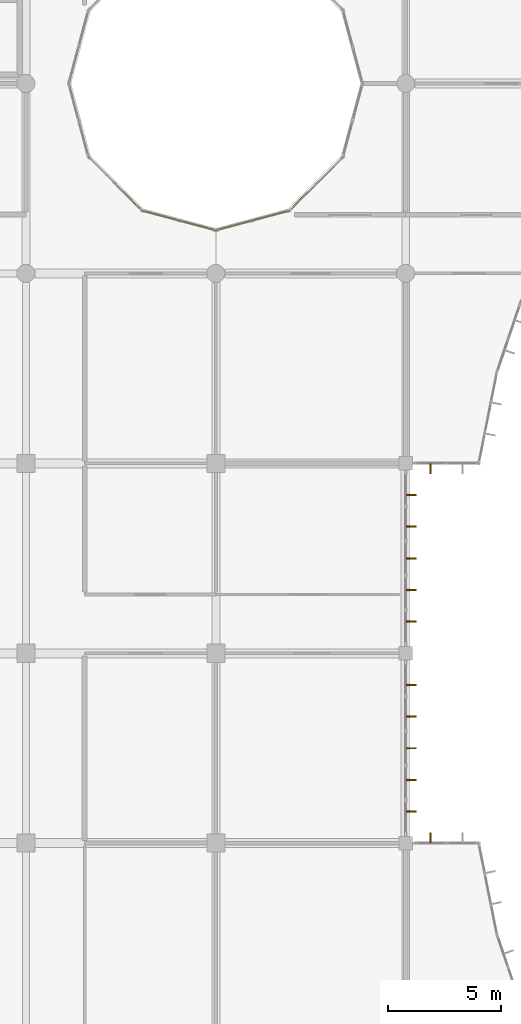
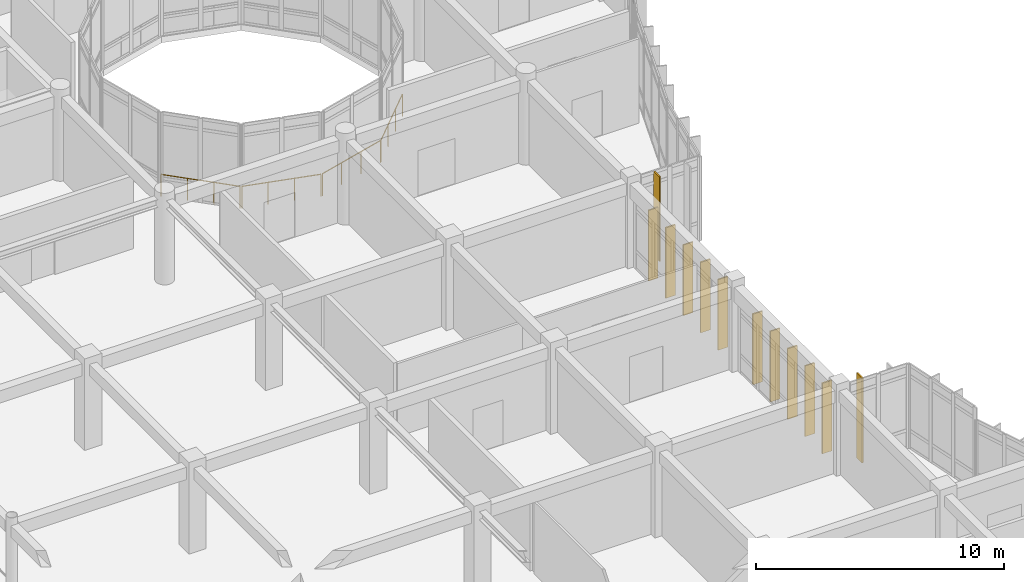
# One storey, part 130 of 144: 12 shading devices, 4 railings.
"""IFC4 building model written with IfcOpenShell, lengths in metres."""

from ifc_helpers import new_model, si_unit, direction, frame, origin, origin_2d, place, context, subcontext, project, spatial, rectangle, circle, extrude, material, material_profile, profile_set, type_object, element, save


model = new_model("IFC4")

# Units and contexts
model_context = context("Model", 3, precision=1e-05, world=origin(), true_north=direction((0.0, 1.0)))
body_context = subcontext(model_context, "Body", "Model", "MODEL_VIEW")
ifc_project = project(units=[si_unit("LENGTHUNIT", "METRE"), si_unit("AREAUNIT", "SQUARE_METRE"), si_unit("VOLUMEUNIT", "CUBIC_METRE"), si_unit("PLANEANGLEUNIT", "RADIAN"), si_unit("MASSUNIT", "GRAM", prefix="KILO")], contexts=[model_context])

# Site, building, storey
site_placement = place(None, origin())
site = spatial("IfcSite", under=ifc_project, at=site_placement, CompositionType="ELEMENT")
building_placement = place(site_placement, origin())
building = spatial("IfcBuilding", under=site, at=building_placement, Name="Bramfleet General Hospital", CompositionType="ELEMENT")
storey_placement = place(building_placement, frame((0.0, 0.0, 4.800048828125)))
storey = spatial("IfcBuildingStorey", under=building, at=storey_placement, Name="L01", CompositionType="ELEMENT", Elevation=4.800048828125)

# Railings
ifc_material_1 = material(Name="Stainless steel 1.4401 safety balustrade", Category="steel")
railing_type = type_object("IfcRailingType", Name="RAIL-EXT-GUARD", PredefinedType="GUARDRAIL", material=ifc_material_1)
railing_1_placement = place(storey_placement, frame((111.993896484375, 63.922119140625, 0.0)))
element("IfcRailing", 1, at=railing_1_placement, inside=storey, type_object=railing_type, Name="L01 Safety Guard Rail 62", PredefinedType="GUARDRAIL", context=body_context, shape_type="SweptSolid", body=[
    extrude(circle(Radius=0.02392578125, at=origin_2d()), frame((0.0, 0.0, 1.076171875), z_axis=(0.707106781187, -0.707106781187, 0.0), x_axis=(0.707106781187, 0.707106781187, 0.0)), (0.0, 0.0, 1.0), 3.292724609375),
    extrude(circle(Radius=0.02099609375, at=origin_2d()), origin(), (0.0, 0.0, 1.0), 1.052001953125),
    extrude(circle(Radius=0.02099609375, at=origin_2d()), frame((0.776123046875, -0.776123046875, 0.0)), (0.0, 0.0, 1.0), 1.052001953125),
    extrude(circle(Radius=0.02099609375, at=origin_2d()), frame((1.55224609375, -1.55224609375, 0.0)), (0.0, 0.0, 1.0), 1.052001953125),
    extrude(circle(Radius=0.02099609375, at=origin_2d()), frame((2.328369140625, -2.328369140625, 0.0)), (0.0, 0.0, 1.0), 1.052001953125),
])
railing_2_placement = place(storey_placement, frame((114.3837890625, 61.55810546875, 0.0)))
element("IfcRailing", 2, at=railing_2_placement, inside=storey, type_object=railing_type, Name="L01 Safety Guard Rail 63", PredefinedType="GUARDRAIL", context=body_context, shape_type="SweptSolid", body=[
    extrude(circle(Radius=0.02392578125, at=origin_2d()), frame((0.0, 0.0, 1.076171875), z_axis=(0.965941433202, -0.258760792284, 0.0), x_axis=(0.258760792284, 0.965941433202, 0.0)), (0.0, 0.0, 1.0), 3.292724609375),
    extrude(circle(Radius=0.02099609375, at=origin_2d()), origin(), (0.0, 0.0, 1.0), 1.052001953125),
    extrude(circle(Radius=0.02099609375, at=origin_2d()), frame((1.060302734375, -0.283935546875, 0.0)), (0.0, 0.0, 1.0), 1.052001953125),
    extrude(circle(Radius=0.02099609375, at=origin_2d()), frame((2.120361328125, -0.568115234375, 0.0)), (0.0, 0.0, 1.0), 1.052001953125),
    extrude(circle(Radius=0.02099609375, at=origin_2d()), frame((3.1806640625, -0.85205078125, 0.0)), (0.0, 0.0, 1.0), 1.052001953125),
])
railing_3_placement = place(storey_placement, frame((117.635498046875, 60.7060546875, 0.0)))
element("IfcRailing", 3, at=railing_3_placement, inside=storey, type_object=railing_type, Name="L01 Safety Guard Rail 64", PredefinedType="GUARDRAIL", context=body_context, shape_type="SweptSolid", body=[
    extrude(circle(Radius=0.02392578125, at=origin_2d()), frame((0.0, 0.0, 1.076171875), z_axis=(0.965941433202, 0.258760792284, 0.0), x_axis=(-0.258760792284, 0.965941433202, 0.0)), (0.0, 0.0, 1.0), 3.292724609375),
    extrude(circle(Radius=0.02099609375, at=origin_2d()), origin(), (0.0, 0.0, 1.0), 1.052001953125),
    extrude(circle(Radius=0.02099609375, at=origin_2d()), frame((1.060302734375, 0.283935546875, 0.0)), (0.0, 0.0, 1.0), 1.052001953125),
    extrude(circle(Radius=0.02099609375, at=origin_2d()), frame((2.120361328125, 0.568115234375, 0.0)), (0.0, 0.0, 1.0), 1.052001953125),
    extrude(circle(Radius=0.02099609375, at=origin_2d()), frame((3.1806640625, 0.85205078125, 0.0)), (0.0, 0.0, 1.0), 1.052001953125),
])
railing_4_placement = place(storey_placement, frame((120.877685546875, 61.59375, 0.0)))
element("IfcRailing", 4, at=railing_4_placement, inside=storey, type_object=railing_type, Name="L01 Safety Guard Rail 65", PredefinedType="GUARDRAIL", context=body_context, shape_type="SweptSolid", body=[
    extrude(circle(Radius=0.02392578125, at=origin_2d()), frame((0.0, 0.0, 1.076171875), z_axis=(0.707143850033, 0.707069710397, 0.0), x_axis=(-0.707069710397, 0.707143850033, 0.0)), (0.0, 0.0, 1.0), 3.29296875),
    extrude(circle(Radius=0.02099609375, at=origin_2d()), origin(), (0.0, 0.0, 1.0), 1.052001953125),
    extrude(circle(Radius=0.02099609375, at=origin_2d()), frame((0.776123046875, 0.776123046875, 0.0)), (0.0, 0.0, 1.0), 1.052001953125),
    extrude(circle(Radius=0.02099609375, at=origin_2d()), frame((1.552490234375, 1.55224609375, 0.0)), (0.0, 0.0, 1.0), 1.052001953125),
    extrude(circle(Radius=0.02099609375, at=origin_2d()), frame((2.32861328125, 2.328369140625, 0.0)), (0.0, 0.0, 1.0), 1.052001953125),
])

# Shading devices
ifc_material_2 = material(Name="Treated European larch timber", Category="wood")
ifc_material_profile = material_profile(ifc_material_2, rectangle(XDim=0.06494140625, YDim=0.449951171875, at=origin_2d()), Name="LARCH FIN 450x65")
ifc_profile_set = profile_set([ifc_material_profile], Name="Treated European larch timber")
shading_device_type = type_object("IfcShadingDeviceType", Name="SHD-FIN-450", PredefinedType="USERDEFINED", material=ifc_profile_set)
shading_device_1_placement = place(storey_placement, frame((127.10498046875, 50.159912109375, -0.02001953125), z_axis=(0.0, 0.0, 1.0), x_axis=(-1.0, 0.0, 0.0)))
element("IfcShadingDevice", 5, at=shading_device_1_placement, inside=storey, type_object=shading_device_type, Name="L01 Larch Timber Shading Fin 239", ObjectType="Fin", PredefinedType="USERDEFINED", context=body_context, shape_type="SweptSolid", body=[
    extrude(rectangle(XDim=0.06494140625, YDim=0.449951171875, at=origin_2d()), origin(), (0.0, 0.0, 1.0), 4.169921875),
])
for number, where, z_axis, x_axis, name in (
    (6, (126.239990234375, 49.0, -0.02001953125), (0.0, 0.0, 1.0), (0.0, -1.0, 0.0), "L01 Larch Timber Shading Fin 240"),
    (7, (126.239990234375, 47.60009765625, -0.02001953125), (0.0, 0.0, 1.0), (0.0, -1.0, 0.0), "L01 Larch Timber Shading Fin 241"),
    (8, (126.239990234375, 46.199951171875, -0.02001953125), (0.0, 0.0, 1.0), (0.0, -1.0, 0.0), "L01 Larch Timber Shading Fin 242"),
    (9, (126.239990234375, 44.800048828125, -0.02001953125), (0.0, 0.0, 1.0), (0.0, -1.0, 0.0), "L01 Larch Timber Shading Fin 243"),
    (10, (126.239990234375, 43.39990234375, -0.02001953125), (0.0, 0.0, 1.0), (0.0, -1.0, 0.0), "L01 Larch Timber Shading Fin 244"),
    (11, (126.239990234375, 40.60009765625, -0.02001953125), (0.0, 0.0, 1.0), (0.0, -1.0, 0.0), "L01 Larch Timber Shading Fin 245"),
    (12, (126.239990234375, 39.199951171875, -0.02001953125), (0.0, 0.0, 1.0), (0.0, -1.0, 0.0), "L01 Larch Timber Shading Fin 246"),
    (13, (126.239990234375, 37.800048828125, -0.02001953125), (0.0, 0.0, 1.0), (0.0, -1.0, 0.0), "L01 Larch Timber Shading Fin 247"),
    (14, (126.239990234375, 36.39990234375, -0.02001953125), (0.0, 0.0, 1.0), (0.0, -1.0, 0.0), "L01 Larch Timber Shading Fin 248"),
    (15, (126.239990234375, 35.0, -0.02001953125), (0.0, 0.0, 1.0), (0.0, -1.0, 0.0), "L01 Larch Timber Shading Fin 249"),
):
    element("IfcShadingDevice", number, at=place(storey_placement, frame(where, z_axis=z_axis, x_axis=x_axis)), inside=storey, type_object=shading_device_type, Name=name, ObjectType="Fin", PredefinedType="USERDEFINED", context=body_context, shape_type="SweptSolid", body=[
        extrude(rectangle(XDim=0.06494140625, YDim=0.449951171875, at=origin_2d()), origin(), (0.0, 0.0, 1.0), 3.469970703125),
    ])
shading_device_2_placement = place(storey_placement, frame((127.10498046875, 33.840087890625, -0.02001953125), z_axis=(0.0, 0.0, 1.0), x_axis=(1.0, 0.0, 0.0)))
element("IfcShadingDevice", 16, at=shading_device_2_placement, inside=storey, type_object=shading_device_type, Name="L01 Larch Timber Shading Fin 250", ObjectType="Fin", PredefinedType="USERDEFINED", context=body_context, shape_type="SweptSolid", body=[
    extrude(rectangle(XDim=0.06494140625, YDim=0.449951171875, at=origin_2d()), origin(), (0.0, 0.0, 1.0), 4.169921875),
])

save(model, "model.ifc")
